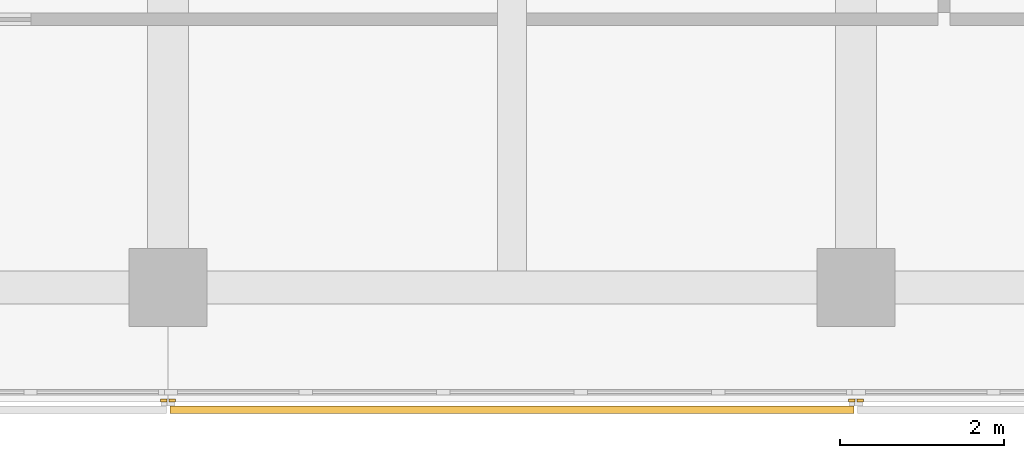
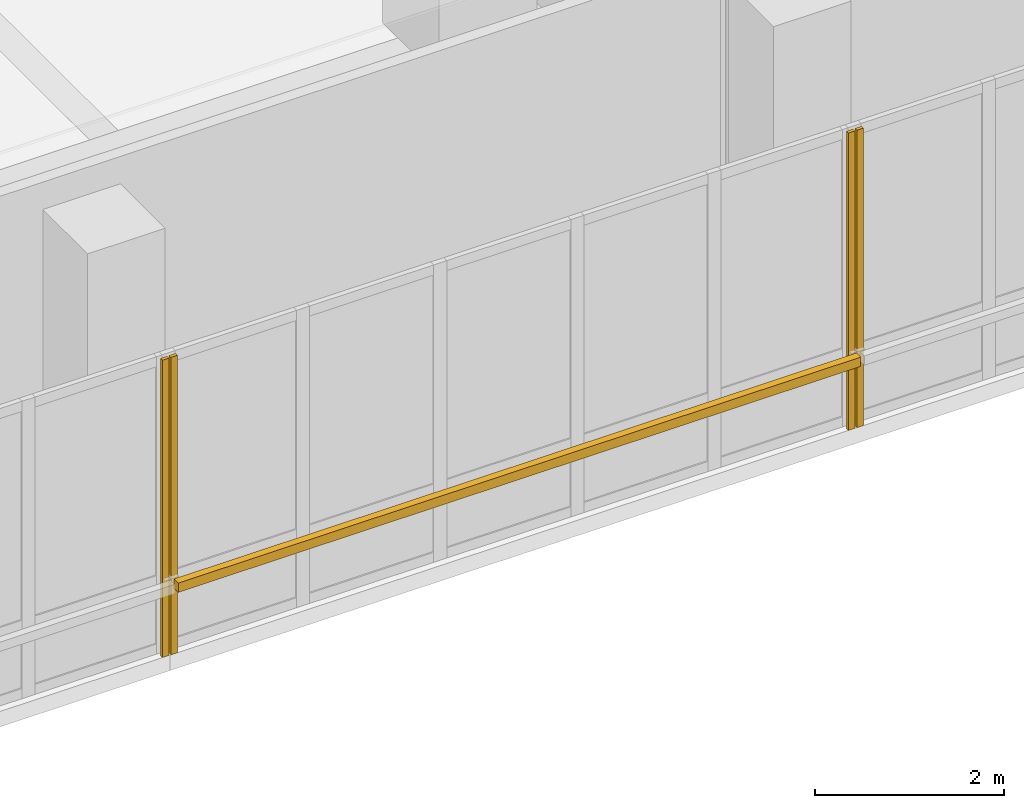
# One storey, part 105 of 128: 4 coverings, 1 shading device.
"""IFC4 building model written with IfcOpenShell, lengths in metres."""

from ifc_helpers import new_model, si_unit, direction, frame, origin, origin_2d, place, context, subcontext, project, spatial, rectangle, extrude, material, layer, layer_set, type_object, element, save


model = new_model("IFC4")

# Units and contexts
model_context = context("Model", 3, precision=1e-05, world=origin(), true_north=direction((0.0, 1.0)))
body_context = subcontext(model_context, "Body", "Model", "MODEL_VIEW")
ifc_project = project(units=[si_unit("LENGTHUNIT", "METRE"), si_unit("AREAUNIT", "SQUARE_METRE"), si_unit("VOLUMEUNIT", "CUBIC_METRE"), si_unit("PLANEANGLEUNIT", "RADIAN"), si_unit("MASSUNIT", "GRAM", prefix="KILO")], contexts=[model_context])

# Site, building, storey
site_placement = place(None, origin())
site = spatial("IfcSite", under=ifc_project, at=site_placement, CompositionType="ELEMENT")
building_placement = place(site_placement, origin())
building = spatial("IfcBuilding", under=site, at=building_placement, Name="Telukmera Botanical Conservatory", CompositionType="ELEMENT")
storey_placement = place(building_placement, frame((0.0, 0.0, 5.39990234375)))
storey = spatial("IfcBuildingStorey", under=building, at=storey_placement, Name="L01", CompositionType="ELEMENT", Elevation=5.39990234375)

# Coverings
ifc_material_1 = material(Name="Granite-faced precast concrete C40/50", Category="masonry")
ifc_layer_1 = layer(ifc_material_1, 0.0400390625)
ifc_layer_set_1 = layer_set([ifc_layer_1], Name="Granite-faced precast concrete C40/50")
covering_type = type_object("IfcCoveringType", Name="Granite Precast Column Pier Reveal Casing", PredefinedType="CLADDING", material=ifc_layer_set_1)
for number, where, z_axis, x_axis, name in (
    (1, (75.548095703125, 9.219970703125, 0.0), (0.0, 0.0, 1.0), (1.0, 0.0, 0.0), "Granite Pier Reveal V4:L01:S3 R"),
    (2, (75.652099609375, 9.219970703125, 0.0), (0.0, 0.0, 1.0), (1.0, 0.0, 0.0), "Granite Pier Reveal V4:L01:S4 L"),
    (3, (83.947998046875, 9.219970703125, 0.0), (0.0, 0.0, 1.0), (1.0, 0.0, 0.0), "Granite Pier Reveal V4:L01:S4 R"),
    (4, (84.052001953125, 9.219970703125, 0.0), (0.0, 0.0, 1.0), (1.0, 0.0, 0.0), "Granite Pier Reveal V4:L01:S5 L"),
):
    element("IfcCovering", number, at=place(storey_placement, frame(where, z_axis=z_axis, x_axis=x_axis)), inside=storey, type_object=covering_type, Name=name, PredefinedType="CLADDING", context=body_context, shape_type="SweptSolid", body=[
        extrude(rectangle(XDim=0.080078125, YDim=0.0400390625, at=origin_2d()), origin(), (0.0, 0.0, 1.0), 3.85009765625),
    ])

# Shading device
ifc_material_2 = material(Name="Perforated terracotta-anodised aluminium 6063-T6", Category="masonry")
ifc_layer_2 = layer(ifc_material_2, 0.044921875)
ifc_layer_set_2 = layer_set([ifc_layer_2], Name="Perforated terracotta-anodised aluminium 6063-T6")
shading_device_type = type_object("IfcShadingDeviceType", Name="Perforated Terracotta Aluminium Monsoon Brise Soleil", PredefinedType="JALOUSIE", material=ifc_layer_set_2)
shading_device_placement = place(storey_placement, frame((79.800048828125, 9.10498046875, 0.89013671875), z_axis=(0.0, 0.0, 1.0), x_axis=(1.0, 0.0, 0.0)))
element("IfcShadingDevice", 5, at=shading_device_placement, inside=storey, type_object=shading_device_type, Name="Monsoon Shading BS01 V4:L01:S4", PredefinedType="JALOUSIE", context=body_context, shape_type="SweptSolid", body=[
    extrude(rectangle(XDim=8.35595703125, YDim=0.090087890625, at=origin_2d()), origin(), (0.0, 0.0, 1.0), 0.1201171875),
])

save(model, "model.ifc")
